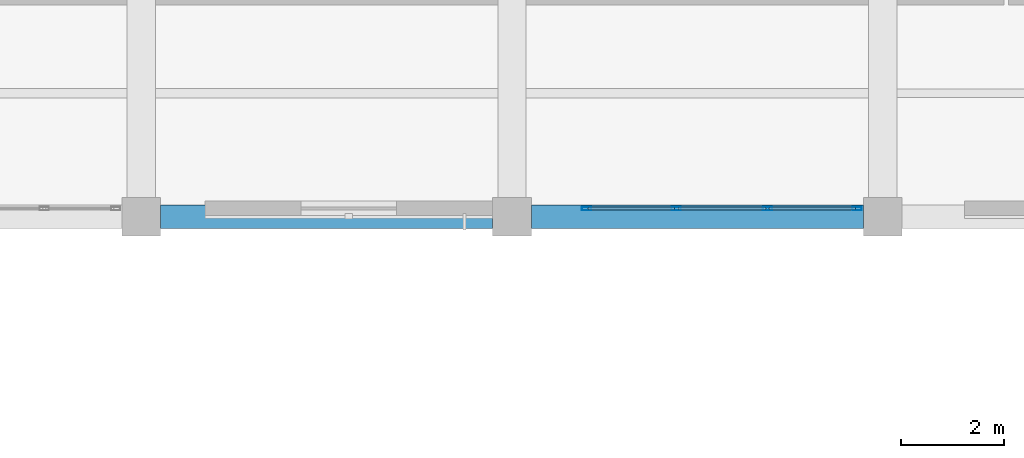
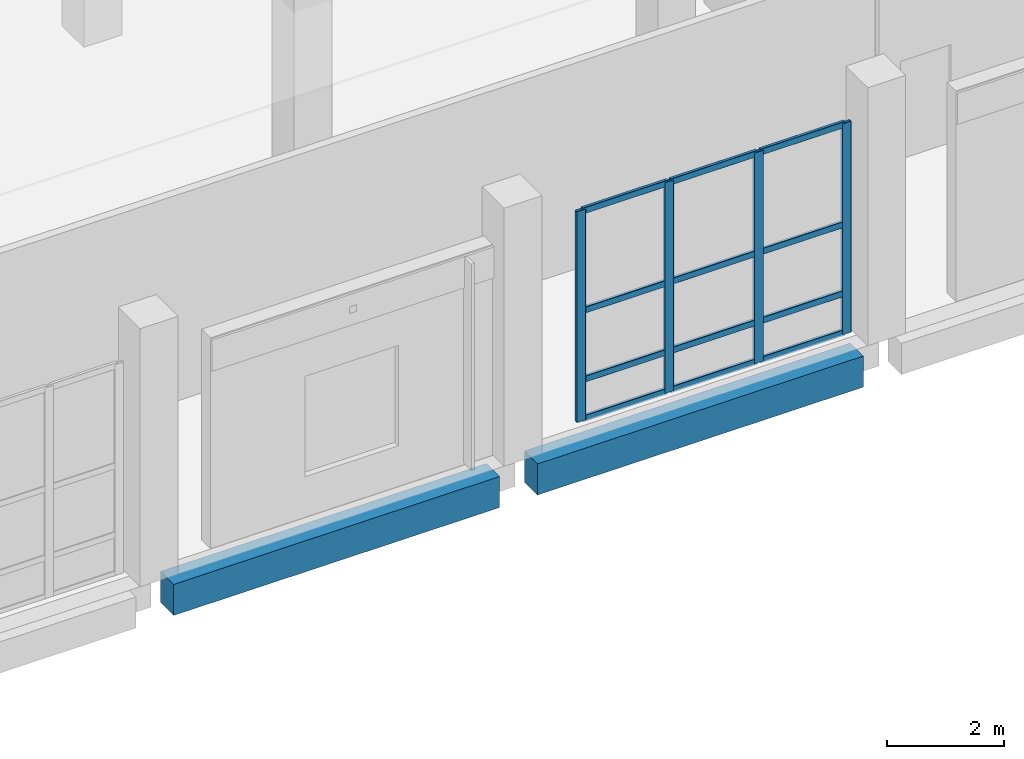
# One storey, part 56 of 137: 16 members, 2 beams, 1 element without a shape of its own.
"""IFC4 building model written with IfcOpenShell, lengths in metres."""

from ifc_helpers import new_model, si_unit, direction, frame, origin, origin_2d, place, context, subcontext, project, spatial, rectangle, hollow_rectangle, extrude, material, material_profile, profile_set, type_object, element, aggregate, save


model = new_model("IFC4")

# Units and contexts
model_context = context("Model", 3, precision=1e-05, world=origin(), true_north=direction((0.0, 1.0)))
body_context = subcontext(model_context, "Body", "Model", "MODEL_VIEW")
ifc_project = project(units=[si_unit("LENGTHUNIT", "METRE"), si_unit("AREAUNIT", "SQUARE_METRE"), si_unit("VOLUMEUNIT", "CUBIC_METRE"), si_unit("PLANEANGLEUNIT", "RADIAN"), si_unit("MASSUNIT", "GRAM", prefix="KILO")], contexts=[model_context])

# Site, building, storey
site_placement = place(None, origin())
site = spatial("IfcSite", under=ifc_project, at=site_placement, CompositionType="ELEMENT")
building_placement = place(site_placement, origin())
building = spatial("IfcBuilding", under=site, at=building_placement, Name="Kalmorath City Hall", CompositionType="ELEMENT")
storey_placement = place(building_placement, origin())
storey = spatial("IfcBuildingStorey", under=building, at=storey_placement, Name="L00", CompositionType="ELEMENT", Elevation=0.0)

# Beams
ifc_material_1 = material(Name="Concrete C40/50", Category="concrete")
ifc_material_profile_1 = material_profile(ifc_material_1, rectangle(XDim=0.449951171875, YDim=0.64990234375, at=origin_2d()), Name="RC-BM-450X650")
ifc_profile_set_1 = profile_set([ifc_material_profile_1], Name="Concrete C40/50")
beam_type = type_object("IfcBeamType", Name="Concrete spandrel beam 450x650", PredefinedType="SPANDREL", material=ifc_profile_set_1)
beam_1_placement = place(storey_placement, frame((79.574951171875, 93.60009765625, -0.62890625), z_axis=(1.0, 0.0, 0.0), x_axis=(0.0, 1.0, 0.0)))
element("IfcBeam", 1, at=beam_1_placement, inside=storey, type_object=beam_type, Name="L00 girder CB5 X12-13/14", PredefinedType="SPANDREL", context=body_context, shape_type="SweptSolid", body=[
    extrude(rectangle(XDim=0.449951171875, YDim=0.64990234375, at=origin_2d()), origin(), (0.0, 0.0, 1.0), 6.449951171875),
])
beam_2_placement = place(storey_placement, frame((86.77490234375, 93.60009765625, -0.62890625), z_axis=(1.0, 0.0, 0.0), x_axis=(0.0, 1.0, 0.0)))
element("IfcBeam", 2, at=beam_2_placement, inside=storey, type_object=beam_type, Name="L00 girder CB5 X13-14/14", PredefinedType="SPANDREL", context=body_context, shape_type="SweptSolid", body=[
    extrude(rectangle(XDim=0.449951171875, YDim=0.64990234375, at=origin_2d()), origin(), (0.0, 0.0, 1.0), 6.4501953125),
])

# Curtain wall, members
ifc_material_2 = material(Name="Anodised aluminium and laminated glass", Category="aluminium")
curtain_wall_type = type_object("IfcCurtainWallType", Name="Unitised hurricane curtain wall 5320x4411 M1550", PredefinedType="NOTDEFINED", material=ifc_material_2)
curtain_wall_placement = place(storey_placement, origin())
curtain_wall = element("IfcCurtainWall", 3, at=curtain_wall_placement, inside=storey, type_object=curtain_wall_type, Name="L00 curtain wall CW-53X44M16 #50", PredefinedType="NOTDEFINED")
ifc_material_3 = material(Name="Anodised aluminium framing", Category="aluminium")
ifc_material_profile_2 = material_profile(ifc_material_3, hollow_rectangle(XDim=0.06494140625, YDim=0.179931640625, WallThickness=0.00390625, InnerFilletRadius=0.00390625, OuterFilletRadius=0.008056640625, at=origin_2d()), Name="ALU-MUL-180X65X4")
ifc_profile_set_2 = profile_set([ifc_material_profile_2], Name="Anodised aluminium framing")
member_type_1 = type_object("IfcMemberType", Name="Curtain-wall courtyard mullion 180x65", PredefinedType="MULLION", material=ifc_profile_set_2)
member_1_placement = place(storey_placement, frame((93.1025390625, 93.760009765625, 0.0), z_axis=(0.0, 0.0, 1.0), x_axis=(0.0, -1.0, 0.0)))
member_1 = element("IfcMember", 4, at=member_1_placement, type_object=member_type_1, Name="CW-53X44M16 mullion 1", PredefinedType="MULLION", context=body_context, shape_type="SweptSolid", body=[
    extrude(hollow_rectangle(XDim=0.06494140625, YDim=0.179931640625, WallThickness=0.00390625, InnerFilletRadius=0.00390625, OuterFilletRadius=0.008056640625, at=origin_2d()), origin(), (0.0, 0.0, 1.0), 4.410888671875),
])
member_2_placement = place(storey_placement, frame((91.36181640625, 93.760009765625, 0.0), z_axis=(0.0, 0.0, 1.0), x_axis=(0.0, -1.0, 0.0)))
member_2 = element("IfcMember", 5, at=member_2_placement, type_object=member_type_1, Name="CW-53X44M16 mullion 2", PredefinedType="MULLION", context=body_context, shape_type="SweptSolid", body=[
    extrude(hollow_rectangle(XDim=0.06494140625, YDim=0.179931640625, WallThickness=0.00390625, InnerFilletRadius=0.00390625, OuterFilletRadius=0.008056640625, at=origin_2d()), origin(), (0.0, 0.0, 1.0), 4.410888671875),
])
member_3_placement = place(storey_placement, frame((89.58837890625, 93.760009765625, 0.0), z_axis=(0.0, 0.0, 1.0), x_axis=(0.0, -1.0, 0.0)))
member_3 = element("IfcMember", 6, at=member_3_placement, type_object=member_type_1, Name="CW-53X44M16 mullion 3", PredefinedType="MULLION", context=body_context, shape_type="SweptSolid", body=[
    extrude(hollow_rectangle(XDim=0.06494140625, YDim=0.179931640625, WallThickness=0.00390625, InnerFilletRadius=0.00390625, OuterFilletRadius=0.008056640625, at=origin_2d()), origin(), (0.0, 0.0, 1.0), 4.410888671875),
])
member_4_placement = place(storey_placement, frame((87.84765625, 93.760009765625, 0.0), z_axis=(0.0, 0.0, 1.0), x_axis=(0.0, -1.0, 0.0)))
member_4 = element("IfcMember", 7, at=member_4_placement, type_object=member_type_1, Name="CW-53X44M16 mullion 4", PredefinedType="MULLION", context=body_context, shape_type="SweptSolid", body=[
    extrude(hollow_rectangle(XDim=0.06494140625, YDim=0.179931640625, WallThickness=0.00390625, InnerFilletRadius=0.00390625, OuterFilletRadius=0.008056640625, at=origin_2d()), origin(), (0.0, 0.0, 1.0), 4.410888671875),
])
ifc_material_4 = material(Name="Anodised aluminium framing", Category="aluminium")
ifc_material_profile_3 = material_profile(ifc_material_4, hollow_rectangle(XDim=0.06005859375, YDim=0.1298828125, WallThickness=0.00341796875, InnerFilletRadius=0.00341796875, OuterFilletRadius=0.007080078125, at=origin_2d()), Name="ALU-TRN-130X60X3.5")
ifc_profile_set_3 = profile_set([ifc_material_profile_3], Name="Anodised aluminium framing")
member_type_2 = type_object("IfcMemberType", Name="Curtain-wall courtyard transom 130x60", PredefinedType="USERDEFINED", material=ifc_profile_set_3)
member_5_placement = place(storey_placement, frame((93.070068359375, 93.760009765625, 0.030029296875), z_axis=(-1.0, 0.0, 0.0), x_axis=(0.0, -1.0, 0.0)))
member_5 = element("IfcMember", 8, at=member_5_placement, type_object=member_type_2, Name="CW-53X44M16 transom 1.1", ObjectType="TRANSOM", PredefinedType="USERDEFINED", context=body_context, shape_type="SweptSolid", body=[
    extrude(hollow_rectangle(XDim=0.06005859375, YDim=0.1298828125, WallThickness=0.00341796875, InnerFilletRadius=0.00341796875, OuterFilletRadius=0.007080078125, at=origin_2d()), origin(), (0.0, 0.0, 1.0), 1.67578125),
])
member_6_placement = place(storey_placement, frame((93.070068359375, 93.760009765625, 0.85009765625), z_axis=(-1.0, 0.0, 0.0), x_axis=(0.0, -1.0, 0.0)))
member_6 = element("IfcMember", 9, at=member_6_placement, type_object=member_type_2, Name="CW-53X44M16 transom 1.2", ObjectType="TRANSOM", PredefinedType="USERDEFINED", context=body_context, shape_type="SweptSolid", body=[
    extrude(hollow_rectangle(XDim=0.06005859375, YDim=0.1298828125, WallThickness=0.00341796875, InnerFilletRadius=0.00341796875, OuterFilletRadius=0.007080078125, at=origin_2d()), origin(), (0.0, 0.0, 1.0), 1.67578125),
])
member_7_placement = place(storey_placement, frame((93.070068359375, 93.760009765625, 2.2939453125), z_axis=(-1.0, 0.0, 0.0), x_axis=(0.0, -1.0, 0.0)))
member_7 = element("IfcMember", 10, at=member_7_placement, type_object=member_type_2, Name="CW-53X44M16 transom 1.3", ObjectType="TRANSOM", PredefinedType="USERDEFINED", context=body_context, shape_type="SweptSolid", body=[
    extrude(hollow_rectangle(XDim=0.06005859375, YDim=0.1298828125, WallThickness=0.00341796875, InnerFilletRadius=0.00341796875, OuterFilletRadius=0.007080078125, at=origin_2d()), origin(), (0.0, 0.0, 1.0), 1.67578125),
])
member_8_placement = place(storey_placement, frame((93.070068359375, 93.760009765625, 4.381103515625), z_axis=(-1.0, 0.0, 0.0), x_axis=(0.0, -1.0, 0.0)))
member_8 = element("IfcMember", 11, at=member_8_placement, type_object=member_type_2, Name="CW-53X44M16 transom 1.4", ObjectType="TRANSOM", PredefinedType="USERDEFINED", context=body_context, shape_type="SweptSolid", body=[
    extrude(hollow_rectangle(XDim=0.06005859375, YDim=0.1298828125, WallThickness=0.00341796875, InnerFilletRadius=0.00341796875, OuterFilletRadius=0.007080078125, at=origin_2d()), origin(), (0.0, 0.0, 1.0), 1.67578125),
])
member_9_placement = place(storey_placement, frame((91.329345703125, 93.760009765625, 0.030029296875), z_axis=(-1.0, 0.0, 0.0), x_axis=(0.0, -1.0, 0.0)))
member_9 = element("IfcMember", 12, at=member_9_placement, type_object=member_type_2, Name="CW-53X44M16 transom 2.1", ObjectType="TRANSOM", PredefinedType="USERDEFINED", context=body_context, shape_type="SweptSolid", body=[
    extrude(hollow_rectangle(XDim=0.06005859375, YDim=0.1298828125, WallThickness=0.00341796875, InnerFilletRadius=0.00341796875, OuterFilletRadius=0.007080078125, at=origin_2d()), origin(), (0.0, 0.0, 1.0), 1.70849609375),
])
member_10_placement = place(storey_placement, frame((91.329345703125, 93.760009765625, 0.85009765625), z_axis=(-1.0, 0.0, 0.0), x_axis=(0.0, -1.0, 0.0)))
member_10 = element("IfcMember", 13, at=member_10_placement, type_object=member_type_2, Name="CW-53X44M16 transom 2.2", ObjectType="TRANSOM", PredefinedType="USERDEFINED", context=body_context, shape_type="SweptSolid", body=[
    extrude(hollow_rectangle(XDim=0.06005859375, YDim=0.1298828125, WallThickness=0.00341796875, InnerFilletRadius=0.00341796875, OuterFilletRadius=0.007080078125, at=origin_2d()), origin(), (0.0, 0.0, 1.0), 1.70849609375),
])
member_11_placement = place(storey_placement, frame((91.329345703125, 93.760009765625, 2.2939453125), z_axis=(-1.0, 0.0, 0.0), x_axis=(0.0, -1.0, 0.0)))
member_11 = element("IfcMember", 14, at=member_11_placement, type_object=member_type_2, Name="CW-53X44M16 transom 2.3", ObjectType="TRANSOM", PredefinedType="USERDEFINED", context=body_context, shape_type="SweptSolid", body=[
    extrude(hollow_rectangle(XDim=0.06005859375, YDim=0.1298828125, WallThickness=0.00341796875, InnerFilletRadius=0.00341796875, OuterFilletRadius=0.007080078125, at=origin_2d()), origin(), (0.0, 0.0, 1.0), 1.70849609375),
])
member_12_placement = place(storey_placement, frame((91.329345703125, 93.760009765625, 4.381103515625), z_axis=(-1.0, 0.0, 0.0), x_axis=(0.0, -1.0, 0.0)))
member_12 = element("IfcMember", 15, at=member_12_placement, type_object=member_type_2, Name="CW-53X44M16 transom 2.4", ObjectType="TRANSOM", PredefinedType="USERDEFINED", context=body_context, shape_type="SweptSolid", body=[
    extrude(hollow_rectangle(XDim=0.06005859375, YDim=0.1298828125, WallThickness=0.00341796875, InnerFilletRadius=0.00341796875, OuterFilletRadius=0.007080078125, at=origin_2d()), origin(), (0.0, 0.0, 1.0), 1.70849609375),
])
member_13_placement = place(storey_placement, frame((89.555908203125, 93.760009765625, 0.030029296875), z_axis=(-1.0, 0.0, 0.0), x_axis=(0.0, -1.0, 0.0)))
member_13 = element("IfcMember", 16, at=member_13_placement, type_object=member_type_2, Name="CW-53X44M16 transom 3.1", ObjectType="TRANSOM", PredefinedType="USERDEFINED", context=body_context, shape_type="SweptSolid", body=[
    extrude(hollow_rectangle(XDim=0.06005859375, YDim=0.1298828125, WallThickness=0.00341796875, InnerFilletRadius=0.00341796875, OuterFilletRadius=0.007080078125, at=origin_2d()), origin(), (0.0, 0.0, 1.0), 1.67578125),
])
member_14_placement = place(storey_placement, frame((89.555908203125, 93.760009765625, 0.85009765625), z_axis=(-1.0, 0.0, 0.0), x_axis=(0.0, -1.0, 0.0)))
member_14 = element("IfcMember", 17, at=member_14_placement, type_object=member_type_2, Name="CW-53X44M16 transom 3.2", ObjectType="TRANSOM", PredefinedType="USERDEFINED", context=body_context, shape_type="SweptSolid", body=[
    extrude(hollow_rectangle(XDim=0.06005859375, YDim=0.1298828125, WallThickness=0.00341796875, InnerFilletRadius=0.00341796875, OuterFilletRadius=0.007080078125, at=origin_2d()), origin(), (0.0, 0.0, 1.0), 1.67578125),
])
member_15_placement = place(storey_placement, frame((89.555908203125, 93.760009765625, 2.2939453125), z_axis=(-1.0, 0.0, 0.0), x_axis=(0.0, -1.0, 0.0)))
member_15 = element("IfcMember", 18, at=member_15_placement, type_object=member_type_2, Name="CW-53X44M16 transom 3.3", ObjectType="TRANSOM", PredefinedType="USERDEFINED", context=body_context, shape_type="SweptSolid", body=[
    extrude(hollow_rectangle(XDim=0.06005859375, YDim=0.1298828125, WallThickness=0.00341796875, InnerFilletRadius=0.00341796875, OuterFilletRadius=0.007080078125, at=origin_2d()), origin(), (0.0, 0.0, 1.0), 1.67578125),
])
member_16_placement = place(storey_placement, frame((89.555908203125, 93.760009765625, 4.381103515625), z_axis=(-1.0, 0.0, 0.0), x_axis=(0.0, -1.0, 0.0)))
member_16 = element("IfcMember", 19, at=member_16_placement, type_object=member_type_2, Name="CW-53X44M16 transom 3.4", ObjectType="TRANSOM", PredefinedType="USERDEFINED", context=body_context, shape_type="SweptSolid", body=[
    extrude(hollow_rectangle(XDim=0.06005859375, YDim=0.1298828125, WallThickness=0.00341796875, InnerFilletRadius=0.00341796875, OuterFilletRadius=0.007080078125, at=origin_2d()), origin(), (0.0, 0.0, 1.0), 1.67578125),
])
aggregate(curtain_wall, [member_1, member_2, member_3, member_4, member_5, member_6, member_7, member_8, member_9, member_10, member_11, member_12, member_13, member_14, member_15, member_16])

save(model, "model.ifc")
